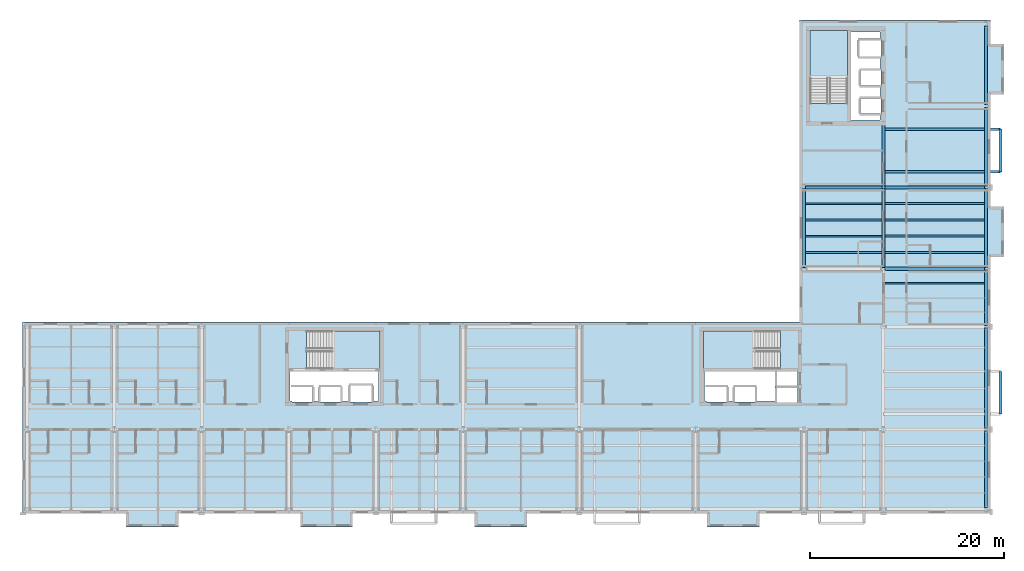
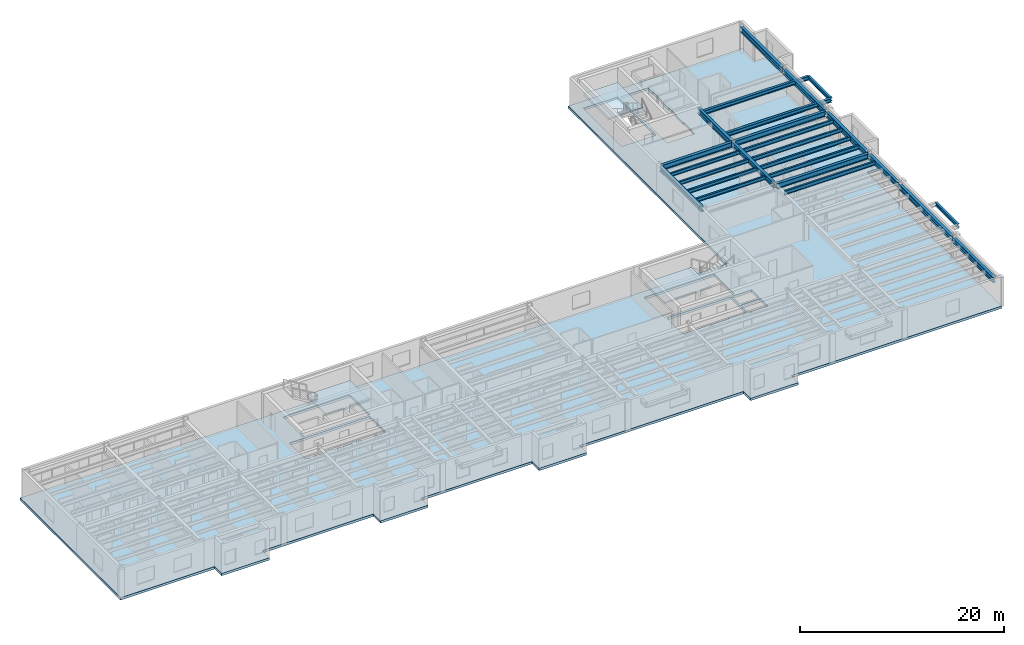
# One storey, part 5 of 17: 25 beams, 4 slabs, 3 elements without a shape of their own.
"""IFC4 building model written with IfcOpenShell, lengths in metres."""

import ifcopenshell
import ifcopenshell.guid

model = None  # the IFC model being written
_history = None  # IfcOwnerHistory: only IFC2X3 demands one
_inside = {}  # id of a spatial element -> (the spatial element, [elements in it])
_under = {}  # id of a project, library or spatial element -> (it, [spatial elements below it])
_declared = {}  # id of a project -> (the project, [libraries it declares])
_typed = {}  # id of a type object -> (the type object, [elements of that type])
_made_of = {}  # id of a material, layer set ... -> (it, [elements and type objects made of it])


def new_model(schema):
    """Start an empty IFC model of exactly this schema.

    Asked for "IFC4X3", IfcOpenShell would pick the latest addendum, in which some entities
    have other attributes; the version numbers below select the first issue.
    IFC2X3 requires an IfcOwnerHistory on every rooted entity: one is made here for all.
    """
    global model, _history
    if schema == "IFC4X3":
        model = ifcopenshell.file(schema_version=(4, 3, 0, 0))
    else:
        model = ifcopenshell.file(schema=schema)
    _inside.clear()
    _under.clear()
    _declared.clear()
    _typed.clear()
    _made_of.clear()
    _history = None
    if model.schema == "IFC2X3":
        org = make("IfcOrganization", Name="unknown")
        user = make(
            "IfcPersonAndOrganization",
            ThePerson=make("IfcPerson", FamilyName="unknown"),
            TheOrganization=org,
        )
        app = make(
            "IfcApplication",
            ApplicationDeveloper=org,
            Version="unknown",
            ApplicationFullName="unknown",
            ApplicationIdentifier="unknown",
        )
        _history = make(
            "IfcOwnerHistory",
            OwningUser=user,
            OwningApplication=app,
            ChangeAction="ADDED",
            CreationDate=0,
        )
    return model


def make(cls, **values):
    """One entity of the class cls with the attributes given. An attribute that is None is left unset."""
    return model.create_entity(
        cls, **{name: value for name, value in values.items() if value is not None}
    )


def rooted(cls, **values):
    """An entity with a GlobalId (a new one), such as an element, a storey or a relation."""
    return make(cls, GlobalId=ifcopenshell.guid.new(), OwnerHistory=_history, **values)


def si_unit(unit_type, name, prefix=None):
    """IfcSIUnit, for example si_unit("LENGTHUNIT", "METRE", prefix="MILLI")."""
    return make("IfcSIUnit", UnitType=unit_type, Prefix=prefix, Name=name)


def assignment(units):
    """IfcUnitAssignment: the units of a project."""
    return None if units is None else make("IfcUnitAssignment", Units=units)


def point(xyz):
    """IfcCartesianPoint."""
    return None if xyz is None else make("IfcCartesianPoint", Coordinates=xyz)


def direction(xyz):
    """IfcDirection."""
    return None if xyz is None else make("IfcDirection", DirectionRatios=xyz)


def frame(location, z_axis=None, x_axis=None):
    """IfcAxis2Placement3D, a coordinate frame: its origin and axes. An axis left out is left unset."""
    return make(
        "IfcAxis2Placement3D",
        Location=point(location),
        Axis=direction(z_axis),
        RefDirection=direction(x_axis),
    )


def frame_2d(location, x_axis=None):
    """IfcAxis2Placement2D, a coordinate frame in the plane: its origin and x axis."""
    return make(
        "IfcAxis2Placement2D", Location=point(location), RefDirection=direction(x_axis)
    )


def origin():
    """The frame at (0, 0, 0) with its axes left unset."""
    return frame((0.0, 0.0, 0.0))


def origin_2d():
    """The frame at (0, 0) in the plane with its x axis left unset."""
    return frame_2d((0.0, 0.0))


def place(relative_to, where):
    """IfcLocalPlacement: puts the frame where relative to a parent placement (None: the world)."""
    return make(
        "IfcLocalPlacement", PlacementRelTo=relative_to, RelativePlacement=where
    )


def context(
    kind, dimensions, precision=None, world=None, true_north=None, identifier=None
):
    """IfcGeometricRepresentationContext, for example the 3D "Model" context."""
    return make(
        "IfcGeometricRepresentationContext",
        ContextIdentifier=identifier,
        ContextType=kind,
        CoordinateSpaceDimension=dimensions,
        Precision=precision,
        WorldCoordinateSystem=world,
        TrueNorth=true_north,
    )


def subcontext(parent, identifier, kind, view, scale=None):
    """IfcGeometricRepresentationSubContext, for example "Body" below "Model"."""
    return make(
        "IfcGeometricRepresentationSubContext",
        ContextIdentifier=identifier,
        ContextType=kind,
        ParentContext=parent,
        TargetScale=scale,
        TargetView=view,
    )


def project(units=None, contexts=None):
    """IfcProject with its units and contexts."""
    return rooted(
        "IfcProject",
        Name="project",
        RepresentationContexts=contexts,
        UnitsInContext=assignment(units),
    )


def spatial(cls, under=None, at=None, **own):
    """A site, building, storey or space (cls), placed at a placement, below another one or the project."""
    s = rooted(cls, ObjectPlacement=at, **own)
    if under is not None:
        _under.setdefault(under.id(), (under, []))[1].append(s)
    return s


def polyline(points):
    """IfcPolyline through the points."""
    return make("IfcPolyline", Points=[point(p) for p in points])


def profile(cls, at=None, kind="AREA", **sizes):
    """A parametric profile (cls). Its sizes go by their IFC names, for example OverallWidth=200.0."""
    return make(cls, ProfileType=kind, Position=at, **sizes)


def i_section(**sizes):
    """IfcIShapeProfileDef."""
    return profile("IfcIShapeProfileDef", **sizes)


def outline(outer, holes=None, kind="AREA"):
    """IfcArbitraryClosedProfileDef: a profile drawn as a closed curve; with holes, ...WithVoids."""
    if holes is None:
        return make("IfcArbitraryClosedProfileDef", ProfileType=kind, OuterCurve=outer)
    return make(
        "IfcArbitraryProfileDefWithVoids",
        ProfileType=kind,
        OuterCurve=outer,
        InnerCurves=holes,
    )


def extrude(swept, where, along, depth):
    """IfcExtrudedAreaSolid: the profile swept, set in the frame where, extruded along a direction by depth."""
    return make(
        "IfcExtrudedAreaSolid",
        SweptArea=swept,
        Position=where,
        ExtrudedDirection=direction(along),
        Depth=depth,
    )


def shape(context_of_items, identifier, shape_type, items):
    """IfcShapeRepresentation: the items that make up one representation, for example the "Body"."""
    return make(
        "IfcShapeRepresentation",
        ContextOfItems=context_of_items,
        RepresentationIdentifier=identifier,
        RepresentationType=shape_type,
        Items=items,
    )


def material(Name=None, Category=None):
    """IfcMaterial."""
    return make("IfcMaterial", Name=Name, Category=Category)


def layer(
    of_material, thickness, ventilated=None, Name=None, Category=None, Priority=None
):
    """IfcMaterialLayer: one layer of a wall or slab, of a material (None: an air gap)."""
    return make(
        "IfcMaterialLayer",
        Material=of_material,
        LayerThickness=thickness,
        IsVentilated=ventilated,
        Name=Name,
        Category=Category,
        Priority=Priority,
    )


def layer_set(layers, Name=None):
    """IfcMaterialLayerSet."""
    return make("IfcMaterialLayerSet", MaterialLayers=layers, LayerSetName=Name)


def material_profile(
    of_material, cross_section, Name=None, Category=None, Priority=None
):
    """IfcMaterialProfile: a cross section and its material."""
    return make(
        "IfcMaterialProfile",
        Name=Name,
        Material=of_material,
        Profile=cross_section,
        Priority=Priority,
        Category=Category,
    )


def profile_set(profiles, Name=None, composite=None):
    """IfcMaterialProfileSet."""
    return make(
        "IfcMaterialProfileSet",
        Name=Name,
        MaterialProfiles=profiles,
        CompositeProfile=composite,
    )


def made_of(thing, what):
    """Note that an element or type object is made of a material, layer set ...; save() writes the relation."""
    if what is not None:
        _made_of.setdefault(what.id(), (what, []))[1].append(thing)
    return thing


def type_object(cls, material=None, **own):
    """A type object (cls), such as IfcWallType, which elements share."""
    return made_of(rooted(cls, **own), material)


def element(
    cls,
    number,
    at=None,
    inside=None,
    cuts=None,
    type_object=None,
    material=None,
    context=None,
    identifier="Body",
    shape_type=None,
    held_by="IfcProductDefinitionShape",
    body=None,
    shapes=None,
    **own,
):
    """One element of the class cls, such as IfcWall. Its Tag is "e" and its number.

    at: its placement. inside: the storey or other place that contains it. cuts: it is an
    opening in that element (IfcRelVoidsElement). A single representation is given by context,
    identifier, shape_type and body (its items); several are given by shapes. held_by: the class
    of the entity that holds the representations. save() writes the other relations.
    """
    e = rooted(cls, Tag="e%d" % number, ObjectPlacement=at, **own)
    if body is not None:
        shapes = [shape(context, identifier, shape_type, body)]
    if shapes is not None:
        e.Representation = make(held_by, Representations=shapes)
    if inside is not None:
        _inside.setdefault(inside.id(), (inside, []))[1].append(e)
    if cuts is not None:
        rooted(
            "IfcRelVoidsElement", RelatingBuildingElement=cuts, RelatedOpeningElement=e
        )
    if type_object is not None:
        _typed.setdefault(type_object.id(), (type_object, []))[1].append(e)
    return made_of(e, material)


def aggregate(whole, parts):
    """IfcRelAggregates: a whole, such as a stair, and the parts it consists of."""
    return rooted("IfcRelAggregates", RelatingObject=whole, RelatedObjects=parts)


def save(model, path):
    """Write the relations noted so far, then the file.

    IfcRelAggregates (storeys below a building ...), IfcRelContainedInSpatialStructure (elements
    in a storey), IfcRelDefinesByType, IfcRelAssociatesMaterial and IfcRelDeclares: one each for
    every whole, place, type object, material and project.
    """
    for whole, parts in _under.values():
        aggregate(whole, parts)
    for where, things in _inside.values():
        rooted(
            "IfcRelContainedInSpatialStructure",
            RelatedElements=things,
            RelatingStructure=where,
        )
    for kind, things in _typed.values():
        rooted("IfcRelDefinesByType", RelatedObjects=things, RelatingType=kind)
    for what, things in _made_of.values():
        rooted("IfcRelAssociatesMaterial", RelatedObjects=things, RelatingMaterial=what)
    for by, libraries in _declared.values():
        rooted("IfcRelDeclares", RelatingContext=by, RelatedDefinitions=libraries)
    model.write(path)


model = new_model("IFC4")

# Units and contexts
model_context = context("Model", 3, precision=1e-05, world=origin(), true_north=direction((0.0, 1.0)))
body_context = subcontext(model_context, "Body", "Model", "MODEL_VIEW")
ifc_project = project(units=[si_unit("LENGTHUNIT", "METRE"), si_unit("AREAUNIT", "SQUARE_METRE"), si_unit("VOLUMEUNIT", "CUBIC_METRE"), si_unit("PLANEANGLEUNIT", "RADIAN"), si_unit("MASSUNIT", "GRAM", prefix="KILO")], contexts=[model_context])

# Site, building, storey
site_placement = place(None, origin())
site = spatial("IfcSite", under=ifc_project, at=site_placement, CompositionType="ELEMENT")
building_placement = place(site_placement, origin())
building = spatial("IfcBuilding", under=site, at=building_placement, Name="Sollismere Congress Hotel", CompositionType="ELEMENT")
storey_placement = place(building_placement, frame((0.0, 0.0, 37.60009765625)))
storey = spatial("IfcBuildingStorey", under=building, at=storey_placement, Name="L09", CompositionType="ELEMENT", Elevation=37.60009765625)

# Beams
ifc_material_1 = material(Name="Steel ASTM A992 Grade 50", Category="steel")
ifc_material_profile_1 = material_profile(ifc_material_1, i_section(OverallWidth=0.281982421875, OverallDepth=0.471923828125, WebThickness=0.013671875, FlangeThickness=0.022216796875, at=origin_2d()), Name="W18X97")
ifc_profile_set_1 = profile_set([ifc_material_profile_1], Name="Steel ASTM A992 Grade 50")
beam_type_1 = type_object("IfcBeamType", Name="BM-CK18E", PredefinedType="BEAM", material=ifc_profile_set_1)
for number, where, z_axis, x_axis, name in (
    (1, (155.39990234375, 34.800048828125, 2.989013671875), (1.0, 0.0, 0.0), (0.0, 1.0, 0.0), "Beam BM-L09-4045"),
    (2, (155.39990234375, 39.199951171875, 2.989013671875), (1.0, 0.0, 0.0), (0.0, 1.0, 0.0), "Beam BM-L09-4046"),
):
    element("IfcBeam", number, at=place(storey_placement, frame(where, z_axis=z_axis, x_axis=x_axis)), inside=storey, type_object=beam_type_1, Name=name, PredefinedType="BEAM", context=body_context, shape_type="SweptSolid", body=[
        extrude(i_section(OverallWidth=0.281982421875, OverallDepth=0.471923828125, WebThickness=0.013671875, FlangeThickness=0.022216796875, at=origin_2d()), origin(), (0.0, 0.0, 1.0), 12.090087890625),
    ])
ifc_material_profile_2 = material_profile(ifc_material_1, i_section(OverallWidth=0.31494140625, OverallDepth=0.551025390625, WebThickness=0.01513671875, FlangeThickness=0.0244140625, at=origin_2d()), Name="W21X122")
ifc_profile_set_2 = profile_set([ifc_material_profile_2], Name="Steel ASTM A992 Grade 50")
beam_type_2 = type_object("IfcBeamType", Name="BM-G21H", PredefinedType="BEAM", material=ifc_profile_set_2)
for number, where, z_axis, x_axis, name in (
    (3, (147.199951171875, 24.93994140625, 2.949462890625), (0.0, 1.0, 0.0), (-1.0, 0.0, 0.0), "Beam BM-L09-3569"),
    (4, (155.39990234375, 24.93994140625, 2.949462890625), (0.0, 1.0, 0.0), (-1.0, 0.0, 0.0), "Beam BM-L09-3573"),
):
    element("IfcBeam", number, at=place(storey_placement, frame(where, z_axis=z_axis, x_axis=x_axis)), inside=storey, type_object=beam_type_2, Name=name, PredefinedType="BEAM", context=body_context, shape_type="SweptSolid", body=[
        extrude(i_section(OverallWidth=0.31494140625, OverallDepth=0.551025390625, WebThickness=0.01513671875, FlangeThickness=0.0244140625, at=origin_2d()), origin(), (0.0, 0.0, 1.0), 8.1201171875),
    ])
ifc_material_profile_3 = material_profile(ifc_material_1, i_section(OverallWidth=0.324951171875, OverallDepth=0.612060546875, WebThickness=0.0126953125, FlangeThickness=0.01904296875, at=origin_2d()), Name="W24X104")
ifc_profile_set_3 = profile_set([ifc_material_profile_3], Name="Steel ASTM A992 Grade 50")
beam_type_3 = type_object("IfcBeamType", Name="BM-G24", PredefinedType="BEAM", material=ifc_profile_set_3)
beam_1_placement = place(storey_placement, frame((155.5400390625, 24.800048828125, 2.9189453125), z_axis=(1.0, 0.0, 0.0), x_axis=(0.0, 1.0, 0.0)))
element("IfcBeam", 5, at=beam_1_placement, inside=storey, type_object=beam_type_3, Name="Beam BM-L09-3552", PredefinedType="BEAM", context=body_context, shape_type="SweptSolid", body=[
    extrude(i_section(OverallWidth=0.324951171875, OverallDepth=0.612060546875, WebThickness=0.0126953125, FlangeThickness=0.01904296875, at=origin_2d()), origin(), (0.0, 0.0, 1.0), 10.320068359375),
])
beam_2_placement = place(storey_placement, frame((147.340087890625, 33.199951171875, 2.9189453125), z_axis=(1.0, 0.0, 0.0), x_axis=(0.0, 1.0, 0.0)))
element("IfcBeam", 6, at=beam_2_placement, inside=storey, type_object=beam_type_3, Name="Beam BM-L09-3553", PredefinedType="BEAM", context=body_context, shape_type="SweptSolid", body=[
    extrude(i_section(OverallWidth=0.324951171875, OverallDepth=0.612060546875, WebThickness=0.0126953125, FlangeThickness=0.01904296875, at=origin_2d()), origin(), (0.0, 0.0, 1.0), 7.919921875),
])
beam_3_placement = place(storey_placement, frame((155.5400390625, 33.199951171875, 2.9189453125), z_axis=(1.0, 0.0, 0.0), x_axis=(0.0, 1.0, 0.0)))
element("IfcBeam", 7, at=beam_3_placement, inside=storey, type_object=beam_type_3, Name="Beam BM-L09-3554", PredefinedType="BEAM", context=body_context, shape_type="SweptSolid", body=[
    extrude(i_section(OverallWidth=0.324951171875, OverallDepth=0.612060546875, WebThickness=0.0126953125, FlangeThickness=0.01904296875, at=origin_2d()), origin(), (0.0, 0.0, 1.0), 10.320068359375),
])
ifc_material_profile_4 = material_profile(ifc_material_1, i_section(OverallWidth=0.330078125, OverallDepth=0.635009765625, WebThickness=0.017822265625, FlangeThickness=0.031005859375, at=origin_2d()), Name="W24X162")
ifc_profile_set_4 = profile_set([ifc_material_profile_4], Name="Steel ASTM A992 Grade 50")
beam_type_4 = type_object("IfcBeamType", Name="BM-G24H", PredefinedType="BEAM", material=ifc_profile_set_4)
beam_4_placement = place(storey_placement, frame((155.39990234375, 33.320068359375, 2.907470703125), z_axis=(0.0, 1.0, 0.0), x_axis=(-1.0, 0.0, 0.0)))
element("IfcBeam", 8, at=beam_4_placement, inside=storey, type_object=beam_type_4, Name="Beam BM-L09-4032", PredefinedType="BEAM", context=body_context, shape_type="SweptSolid", body=[
    extrude(i_section(OverallWidth=0.330078125, OverallDepth=0.635009765625, WebThickness=0.017822265625, FlangeThickness=0.031005859375, at=origin_2d()), origin(), (0.0, 0.0, 1.0), 6.530029296875),
])
ifc_material_profile_5 = material_profile(ifc_material_1, i_section(OverallWidth=0.180908203125, OverallDepth=0.4169921875, WebThickness=0.010986328125, FlangeThickness=0.018310546875, at=origin_2d()), Name="W16X57")
ifc_profile_set_5 = profile_set([ifc_material_profile_5], Name="Steel ASTM A992 Grade 50")
beam_type_5 = type_object("IfcBeamType", Name="BM-J16", PredefinedType="JOIST", material=ifc_profile_set_5)
for number, where, z_axis, x_axis, name in (
    (9, (147.357421875, 26.47998046875, 3.016357421875), (1.0, 0.0, 0.0), (0.0, 1.0, 0.0), "Beam BM-L09-3628"),
    (10, (147.357421875, 28.159912109375, 3.016357421875), (1.0, 0.0, 0.0), (0.0, 1.0, 0.0), "Beam BM-L09-3629"),
    (11, (147.357421875, 29.840087890625, 3.016357421875), (1.0, 0.0, 0.0), (0.0, 1.0, 0.0), "Beam BM-L09-3630"),
    (12, (147.357421875, 31.52001953125, 3.016357421875), (1.0, 0.0, 0.0), (0.0, 1.0, 0.0), "Beam BM-L09-3631"),
):
    element("IfcBeam", number, at=place(storey_placement, frame(where, z_axis=z_axis, x_axis=x_axis)), inside=storey, type_object=beam_type_5, Name=name, PredefinedType="JOIST", context=body_context, shape_type="SweptSolid", body=[
        extrude(i_section(OverallWidth=0.180908203125, OverallDepth=0.4169921875, WebThickness=0.010986328125, FlangeThickness=0.018310546875, at=origin_2d()), origin(), (0.0, 0.0, 1.0), 7.885009765625),
    ])
ifc_material_profile_6 = material_profile(ifc_material_1, i_section(OverallWidth=0.193115234375, OverallDepth=0.467041015625, WebThickness=0.011474609375, FlangeThickness=0.01904296875, at=origin_2d()), Name="W18X65")
ifc_profile_set_6 = profile_set([ifc_material_profile_6], Name="Steel ASTM A992 Grade 50")
beam_type_6 = type_object("IfcBeamType", Name="BM-J18", PredefinedType="JOIST", material=ifc_profile_set_6)
for number, where, z_axis, x_axis, name in (
    (13, (155.5576171875, 23.300048828125, 2.991455078125), (1.0, 0.0, 0.0), (0.0, 1.0, 0.0), "Beam BM-L09-3641"),
    (14, (155.5576171875, 26.47998046875, 2.991455078125), (1.0, 0.0, 0.0), (0.0, 1.0, 0.0), "Beam BM-L09-3642"),
    (15, (155.5576171875, 28.159912109375, 2.991455078125), (1.0, 0.0, 0.0), (0.0, 1.0, 0.0), "Beam BM-L09-3643"),
    (16, (155.5576171875, 29.840087890625, 2.991455078125), (1.0, 0.0, 0.0), (0.0, 1.0, 0.0), "Beam BM-L09-3644"),
    (17, (155.5576171875, 31.52001953125, 2.991455078125), (1.0, 0.0, 0.0), (0.0, 1.0, 0.0), "Beam BM-L09-3645"),
):
    element("IfcBeam", number, at=place(storey_placement, frame(where, z_axis=z_axis, x_axis=x_axis)), inside=storey, type_object=beam_type_6, Name=name, PredefinedType="JOIST", context=body_context, shape_type="SweptSolid", body=[
        extrude(i_section(OverallWidth=0.193115234375, OverallDepth=0.467041015625, WebThickness=0.011474609375, FlangeThickness=0.01904296875, at=origin_2d()), origin(), (0.0, 0.0, 1.0), 10.27734375),
    ])
ifc_material_profile_7 = material_profile(ifc_material_1, i_section(OverallWidth=0.261962890625, OverallDepth=0.4189453125, WebThickness=0.01171875, FlangeThickness=0.019287109375, at=origin_2d()), Name="W16X77")
ifc_profile_set_7 = profile_set([ifc_material_profile_7], Name="Steel ASTM A992 Grade 50")
beam_type_7 = type_object("IfcBeamType", Name="BM-LN16E", PredefinedType="LINTEL", material=ifc_profile_set_7)
for number, where, z_axis, x_axis, name in (
    (18, (167.489990234375, 9.800048828125, 3.015380859375), (0.0, 1.0, 0.0), (-1.0, 0.0, 0.0), "Beam BM-L09-4044"),
    (19, (167.489990234375, 34.800048828125, 3.015380859375), (0.0, 1.0, 0.0), (-1.0, 0.0, 0.0), "Beam BM-L09-4047"),
):
    element("IfcBeam", number, at=place(storey_placement, frame(where, z_axis=z_axis, x_axis=x_axis)), inside=storey, type_object=beam_type_7, Name=name, PredefinedType="LINTEL", context=body_context, shape_type="SweptSolid", body=[
        extrude(i_section(OverallWidth=0.261962890625, OverallDepth=0.4189453125, WebThickness=0.01171875, FlangeThickness=0.019287109375, at=origin_2d()), origin(), (0.0, 0.0, 1.0), 4.39990234375),
    ])
ifc_material_profile_8 = material_profile(ifc_material_1, i_section(OverallWidth=0.330078125, OverallDepth=0.635009765625, WebThickness=0.017822265625, FlangeThickness=0.031005859375, at=origin_2d()), Name="W24X162")
ifc_profile_set_8 = profile_set([ifc_material_profile_8], Name="Steel ASTM A992 Grade 50")
beam_type_8 = type_object("IfcBeamType", Name="BM-SP24E", PredefinedType="SPANDREL", material=ifc_profile_set_8)
beam_5_placement = place(storey_placement, frame((166.0, 0.139892578125, 2.907470703125), z_axis=(0.0, 1.0, 0.0), x_axis=(-1.0, 0.0, 0.0)))
element("IfcBeam", 20, at=beam_5_placement, inside=storey, type_object=beam_type_8, Name="Beam BM-L09-3574", PredefinedType="SPANDREL", context=body_context, shape_type="SweptSolid", body=[
    extrude(i_section(OverallWidth=0.330078125, OverallDepth=0.635009765625, WebThickness=0.017822265625, FlangeThickness=0.031005859375, at=origin_2d()), origin(), (0.0, 0.0, 1.0), 7.920166015625),
])
beam_6_placement = place(storey_placement, frame((166.0, 8.340087890625, 2.907470703125), z_axis=(0.0, 1.0, 0.0), x_axis=(-1.0, 0.0, 0.0)))
element("IfcBeam", 21, at=beam_6_placement, inside=storey, type_object=beam_type_8, Name="Beam BM-L09-3575", PredefinedType="SPANDREL", context=body_context, shape_type="SweptSolid", body=[
    extrude(i_section(OverallWidth=0.330078125, OverallDepth=0.635009765625, WebThickness=0.017822265625, FlangeThickness=0.031005859375, at=origin_2d()), origin(), (0.0, 0.0, 1.0), 10.31982421875),
])
beam_7_placement = place(storey_placement, frame((166.0, 18.93994140625, 2.907470703125), z_axis=(0.0, 1.0, 0.0), x_axis=(-1.0, 0.0, 0.0)))
element("IfcBeam", 22, at=beam_7_placement, inside=storey, type_object=beam_type_8, Name="Beam BM-L09-3576", PredefinedType="SPANDREL", context=body_context, shape_type="SweptSolid", body=[
    extrude(i_section(OverallWidth=0.330078125, OverallDepth=0.635009765625, WebThickness=0.017822265625, FlangeThickness=0.031005859375, at=origin_2d()), origin(), (0.0, 0.0, 1.0), 5.719970703125),
])
beam_8_placement = place(storey_placement, frame((166.0, 24.93994140625, 2.907470703125), z_axis=(0.0, 1.0, 0.0), x_axis=(-1.0, 0.0, 0.0)))
element("IfcBeam", 23, at=beam_8_placement, inside=storey, type_object=beam_type_8, Name="Beam BM-L09-3577", PredefinedType="SPANDREL", context=body_context, shape_type="SweptSolid", body=[
    extrude(i_section(OverallWidth=0.330078125, OverallDepth=0.635009765625, WebThickness=0.017822265625, FlangeThickness=0.031005859375, at=origin_2d()), origin(), (0.0, 0.0, 1.0), 8.1201171875),
])
beam_9_placement = place(storey_placement, frame((166.0, 33.340087890625, 2.907470703125), z_axis=(0.0, 1.0, 0.0), x_axis=(-1.0, 0.0, 0.0)))
element("IfcBeam", 24, at=beam_9_placement, inside=storey, type_object=beam_type_8, Name="Beam BM-L09-3578", PredefinedType="SPANDREL", context=body_context, shape_type="SweptSolid", body=[
    extrude(i_section(OverallWidth=0.330078125, OverallDepth=0.635009765625, WebThickness=0.017822265625, FlangeThickness=0.031005859375, at=origin_2d()), origin(), (0.0, 0.0, 1.0), 8.119873046875),
])
beam_10_placement = place(storey_placement, frame((166.0, 41.739990234375, 2.907470703125), z_axis=(0.0, 1.0, 0.0), x_axis=(-1.0, 0.0, 0.0)))
element("IfcBeam", 25, at=beam_10_placement, inside=storey, type_object=beam_type_8, Name="Beam BM-L09-3579", PredefinedType="SPANDREL", context=body_context, shape_type="SweptSolid", body=[
    extrude(i_section(OverallWidth=0.330078125, OverallDepth=0.635009765625, WebThickness=0.017822265625, FlangeThickness=0.031005859375, at=origin_2d()), origin(), (0.0, 0.0, 1.0), 8.1201171875),
])

# Slab
ifc_material_2 = material(Name="Concrete C40/50", Category="concrete")
ifc_layer_1 = layer(ifc_material_2, 0.284912109375, Name="Concrete C40/50")
ifc_layer_set_1 = layer_set([ifc_layer_1], Name="Concrete C40/50")
slab_type_1 = type_object("IfcSlabType", Name="SL-FLR285", PredefinedType="FLOOR", material=ifc_layer_set_1)
slab_1_placement = place(storey_placement, frame((0.0, 0.0, -0.28515625)))
element("IfcSlab", 26, at=slab_1_placement, inside=storey, type_object=slab_type_1, Name="Slab SL-L09-V5", PredefinedType="FLOOR", context=body_context, shape_type="SweptSolid", body=[
    extrude(outline(polyline([(77.199951171875, -0.47998046875), (77.199951171875, -1.85009765625), (82.60009765625, -1.85009765625), (82.60009765625, -0.47998046875), (95.199951171875, -0.47998046875), (95.199951171875, -1.85009765625), (100.60009765625, -1.85009765625), (100.60009765625, -0.47998046875), (113.199951171875, -0.47998046875), (113.199951171875, -1.85009765625), (118.60009765625, -1.85009765625), (118.60009765625, -0.47998046875), (137.199951171875, -0.47998046875), (137.199951171875, -1.85009765625), (142.60009765625, -1.85009765625), (142.60009765625, -0.47998046875), (166.47998046875, -0.47998046875), (166.47998046875, 19.280029296875), (166.47998046875, 26.0), (167.85009765625, 26.0), (167.85009765625, 31.199951171875), (166.47998046875, 31.199951171875), (166.47998046875, 42.800048828125), (167.85009765625, 42.800048828125), (167.85009765625, 48.0), (166.47998046875, 48.0), (166.47998046875, 50.47998046875), (146.719970703125, 50.47998046875), (146.719970703125, 19.280029296875), (66.52001953125, 19.280029296875), (66.52001953125, -0.47998046875), (77.199951171875, -0.47998046875)]), holes=[polyline([(94.35498046875, 11.050048828125), (94.35498046875, 11.139892578125), (94.139892578125, 11.139892578125), (94.139892578125, 14.179931640625), (103.260009765625, 14.179931640625), (103.260009765625, 11.139892578125), (102.570068359375, 11.139892578125), (102.570068359375, 11.054931640625), (100.330078125, 11.054931640625), (100.330078125, 11.139892578125), (99.344970703125, 11.139892578125), (99.344970703125, 11.050048828125), (97.2548828125, 11.050048828125), (97.2548828125, 11.139892578125), (96.445068359375, 11.139892578125), (96.445068359375, 11.050048828125), (94.35498046875, 11.050048828125)]), polyline([(137.155029296875, 11.050048828125), (137.155029296875, 11.139892578125), (136.93994140625, 11.139892578125), (136.93994140625, 14.179931640625), (144.22705078125, 14.179931640625), (144.22705078125, 11.139892578125), (142.14501953125, 11.139892578125), (142.14501953125, 11.050048828125), (140.054931640625, 11.050048828125), (140.054931640625, 11.139892578125), (139.2451171875, 11.139892578125), (139.2451171875, 11.050048828125), (137.155029296875, 11.050048828125)]), polyline([(95.8505859375, 14.449951171875), (95.8505859375, 18.35009765625), (103.39990234375, 18.35009765625), (103.39990234375, 14.449951171875), (95.8505859375, 14.449951171875)]), polyline([(144.749267578125, 18.35009765625), (144.749267578125, 14.449951171875), (136.800048828125, 14.449951171875), (136.800048828125, 18.35009765625), (144.749267578125, 18.35009765625)]), polyline([(146.550048828125, 11.0048828125), (144.409912109375, 11.0048828125), (144.409912109375, 12.4951171875), (146.550048828125, 12.4951171875), (146.550048828125, 11.0048828125)]), polyline([(146.550048828125, 12.705078125), (144.409912109375, 12.705078125), (144.409912109375, 14.195068359375), (146.550048828125, 14.195068359375), (146.550048828125, 12.705078125)]), polyline([(155.14501953125, 40.830078125), (155.06005859375, 40.830078125), (155.06005859375, 40.139892578125), (151.969970703125, 40.139892578125), (151.969970703125, 49.260009765625), (155.06005859375, 49.260009765625), (155.06005859375, 48.39501953125), (155.139892578125, 48.39501953125), (155.139892578125, 46.705078125), (155.06005859375, 46.705078125), (155.06005859375, 45.27001953125), (155.14501953125, 45.27001953125), (155.14501953125, 43.72998046875), (155.06005859375, 43.72998046875), (155.06005859375, 42.3701171875), (155.14501953125, 42.3701171875), (155.14501953125, 40.830078125)]), polyline([(151.699951171875, 41.8505859375), (147.800048828125, 41.8505859375), (147.800048828125, 49.39990234375), (151.699951171875, 49.39990234375), (151.699951171875, 41.8505859375)])]), origin(), (0.0, 0.0, 1.0), 0.28515625),
])

# Stair, slab
stair_type = type_object("IfcStairType", Name="STR-DL-350", PredefinedType="HALF_TURN_STAIR", material=ifc_material_2)
stair_1_placement = place(storey_placement, origin())
stair_1 = element("IfcStair", 27, at=stair_1_placement, inside=storey, type_object=stair_type, Name="Protected exit stair ST-01-L09", PredefinedType="HALF_TURN_STAIR")
ifc_layer_2 = layer(ifc_material_2, 0.199951171875, Name="Concrete C40/50")
ifc_layer_set_2 = layer_set([ifc_layer_2], Name="Concrete C40/50")
slab_type_2 = type_object("IfcSlabType", Name="SL-LND200", PredefinedType="LANDING", material=ifc_layer_set_2)
slab_2_placement = place(storey_placement, frame((0.0, 0.0, 1.5498046875)))
slab_2 = element("IfcSlab", 28, at=slab_2_placement, type_object=slab_type_2, Name="Exit stair half-landing ST-01-L09-L1", PredefinedType="LANDING", context=body_context, shape_type="SweptSolid", body=[
    extrude(outline(polyline([(142.139892578125, 18.35009765625), (136.800048828125, 18.35009765625), (136.800048828125, 14.449951171875), (142.139892578125, 14.449951171875), (142.139892578125, 18.35009765625)])), origin(), (0.0, 0.0, 1.0), 0.2001953125),
])
aggregate(stair_1, [slab_2])

stair_2_placement = place(storey_placement, origin())
stair_2 = element("IfcStair", 29, at=stair_2_placement, inside=storey, type_object=stair_type, Name="Protected exit stair ST-02-L09", PredefinedType="HALF_TURN_STAIR")
slab_3_placement = place(storey_placement, frame((0.0, 0.0, 1.5498046875)))
slab_3 = element("IfcSlab", 30, at=slab_3_placement, type_object=slab_type_2, Name="Exit stair half-landing ST-02-L09-L1", PredefinedType="LANDING", context=body_context, shape_type="SweptSolid", body=[
    extrude(outline(polyline([(98.4599609375, 14.449951171875), (103.39990234375, 14.449951171875), (103.39990234375, 18.35009765625), (98.4599609375, 18.35009765625), (98.4599609375, 14.449951171875)])), origin(), (0.0, 0.0, 1.0), 0.2001953125),
])
aggregate(stair_2, [slab_3])

stair_3_placement = place(storey_placement, origin())
stair_3 = element("IfcStair", 31, at=stair_3_placement, inside=storey, type_object=stair_type, Name="Protected exit stair ST-03-L09", PredefinedType="HALF_TURN_STAIR")
slab_4_placement = place(storey_placement, frame((0.0, 0.0, 1.5498046875)))
slab_4 = element("IfcSlab", 32, at=slab_4_placement, type_object=slab_type_2, Name="Exit stair half-landing ST-03-L09-L1", PredefinedType="LANDING", context=body_context, shape_type="SweptSolid", body=[
    extrude(outline(polyline([(151.699951171875, 44.4599609375), (151.699951171875, 49.39990234375), (147.800048828125, 49.39990234375), (147.800048828125, 44.4599609375), (151.699951171875, 44.4599609375)])), origin(), (0.0, 0.0, 1.0), 0.2001953125),
])
aggregate(stair_3, [slab_4])

save(model, "model.ifc")
